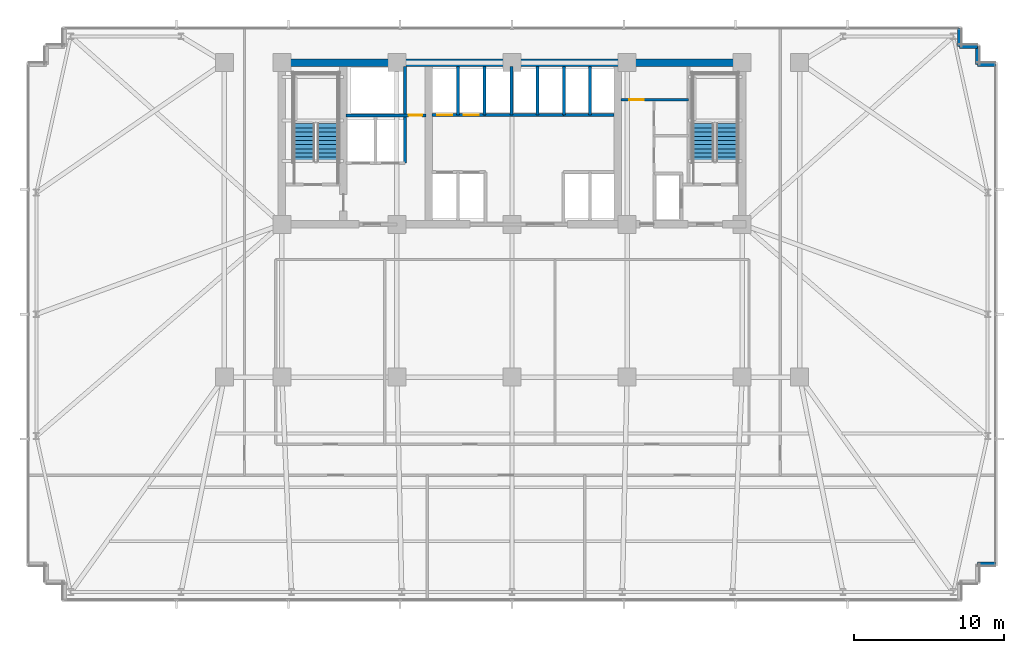
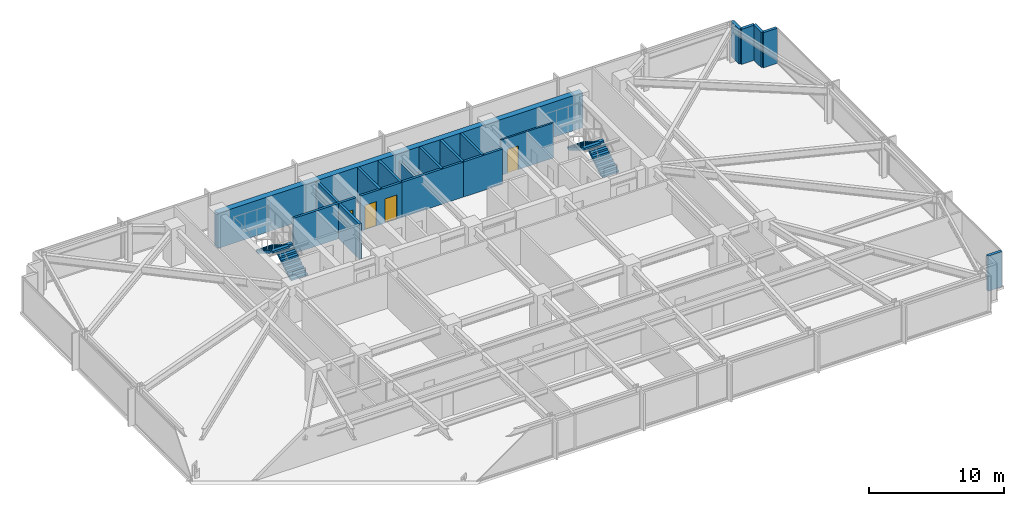
# One storey, part 26 of 32: 18 walls, 4 doors, 4 stair flights, 4 openings, 2 elements without a shape of their own.
"""IFC4 building model written with IfcOpenShell, lengths in metres."""

from ifc_helpers import new_model, si_unit, direction, frame, frame_2d, origin, place, context, subcontext, project, spatial, polyline, rectangle, outline, extrude, material, layer, layer_set, type_object, element, fill, aggregate, save


model = new_model("IFC4")

# Units and contexts
model_context = context("Model", 3, precision=1e-05, world=origin(), true_north=direction((0.0, 1.0)))
body_context = subcontext(model_context, "Body", "Model", "MODEL_VIEW")
ifc_project = project(units=[si_unit("LENGTHUNIT", "METRE"), si_unit("AREAUNIT", "SQUARE_METRE"), si_unit("VOLUMEUNIT", "CUBIC_METRE"), si_unit("PLANEANGLEUNIT", "RADIAN"), si_unit("MASSUNIT", "GRAM", prefix="KILO")], contexts=[model_context])

# Site, building, storey
site_placement = place(None, origin())
site = spatial("IfcSite", under=ifc_project, at=site_placement, CompositionType="ELEMENT")
building_placement = place(site_placement, origin())
building = spatial("IfcBuilding", under=site, at=building_placement, Name="Yelkora Congress Tower", CompositionType="ELEMENT")
storey_placement = place(building_placement, frame((0.0, 0.0, 33.800048828125)))
storey = spatial("IfcBuildingStorey", under=building, at=storey_placement, Name="L07", CompositionType="ELEMENT", Elevation=33.800048828125)

# Walls
ifc_material_1 = material(Name="Concrete C60/75", Category="concrete")
ifc_layer_1 = layer(ifc_material_1, 0.5)
ifc_layer_set_1 = layer_set([ifc_layer_1], Name="Concrete C60/75")
wall_type_1 = type_object("IfcWallType", Name="WALL-CORE-INT-500", PredefinedType="SHEAR", material=ifc_layer_set_1)
wall_1_placement = place(storey_placement, frame((22.7900390625, 46.199951171875, 0.0), z_axis=(0.0, 0.0, 1.0), x_axis=(1.0, 0.0, 0.0)))
element("IfcWall", 1, at=wall_1_placement, inside=storey, type_object=wall_type_1, Name="L07 Rear Core North Shear Wall", PredefinedType="SHEAR", context=body_context, shape_type="SweptSolid", body=[
    extrude(rectangle(XDim=31.219970703125, YDim=0.5, at=frame_2d((15.60986328125, 0.0))), origin(), (0.0, 0.0, 1.0), 3.179931640625),
])
ifc_material_2 = material(Name="Concrete C40/50", Category="concrete")
ifc_layer_2 = layer(ifc_material_2, 0.239990234375)
ifc_layer_set_2 = layer_set([ifc_layer_2], Name="Concrete C40/50")
wall_type_2 = type_object("IfcWallType", Name="WALL-EXT-LIMESTONE-240", PredefinedType="SOLIDWALL", material=ifc_layer_set_2)
for number, where, z_axis, x_axis, name in (
    (2, (68.260009765625, 48.4599609375, 0.0), (0.0, 0.0, 1.0), (0.0, -1.0, 0.0), "L07 Serrated Corner Limestone Pier 11"),
    (3, (68.260009765625, 47.260009765625, 0.0), (0.0, 0.0, 1.0), (1.0, 0.0, 0.0), "L07 Serrated Corner Limestone Pier 12"),
    (4, (69.4599609375, 47.260009765625, 0.0), (0.0, 0.0, 1.0), (0.0, -1.0, 0.0), "L07 Serrated Corner Limestone Pier 13"),
    (5, (69.4599609375, 46.06005859375, 0.0), (0.0, 0.0, 1.0), (1.0, 0.0, 0.0), "L07 Serrated Corner Limestone Pier 14"),
    (6, (70.659912109375, 12.739990234375, 0.0), (0.0, 0.0, 1.0), (-1.0, 0.0, 0.0), "L07 Serrated Corner Limestone Pier 16"),
):
    element("IfcWall", number, at=place(storey_placement, frame(where, z_axis=z_axis, x_axis=x_axis)), inside=storey, type_object=wall_type_2, Name=name, PredefinedType="SOLIDWALL", context=body_context, shape_type="SweptSolid", body=[
        extrude(rectangle(XDim=1.199951171875, YDim=0.239990234375, at=frame_2d((0.60009765625, 0.0))), origin(), (0.0, 0.0, 1.0), 3.179931640625),
    ])

# Wall, opening, door
ifc_material_3 = material(Name="Acoustic metal-stud gypsum partition", Category="gypsum")
ifc_layer_3 = layer(ifc_material_3, 0.14990234375)
ifc_layer_set_3 = layer_set([ifc_layer_3], Name="Acoustic metal-stud gypsum partition")
wall_type_3 = type_object("IfcWallType", Name="WALL-INT-150-NR", PredefinedType="PARTITIONING", material=ifc_layer_set_3)
wall_2_placement = place(storey_placement, frame((45.679931640625, 43.719970703125, 0.0), z_axis=(0.0, 0.0, 1.0), x_axis=(1.0, 0.0, 0.0)))
wall_2 = element("IfcWall", 7, at=wall_2_placement, inside=storey, type_object=wall_type_3, Name="L07 Partition Wall 28", PredefinedType="PARTITIONING", context=body_context, shape_type="SweptSolid", body=[
    extrude(rectangle(XDim=4.5, YDim=0.14990234375, at=frame_2d((2.25, 0.0))), origin(), (0.0, 0.0, 1.0), 3.179931640625),
])
opening_1_placement = place(wall_2_placement, frame((0.550048828125, 0.0, 0.0)))
opening_1 = element("IfcOpeningElement", 8, at=opening_1_placement, cuts=wall_2, Name="Opening DR-095N", PredefinedType="OPENING", context=body_context, shape_type="SweptSolid", body=[
    extrude(rectangle(XDim=0.949951171875, YDim=2.14990234375, at=frame_2d((0.47509765625, 1.074951171875))), frame((0.0, 0.0849609375, 0.0), z_axis=(0.0, -1.0, 0.0), x_axis=(1.0, 0.0, 0.0)), (0.0, 0.0, 1.0), 0.169921875),
])
ifc_material_4 = material(Name="Acoustic laminated timber office door", Category="wood")
door_type_1 = type_object("IfcDoorType", Name="DOOR-INT-950", OperationType="NOTDEFINED", PredefinedType="DOOR", material=ifc_material_4)
door_1_placement = place(opening_1_placement, origin())
door_1 = element("IfcDoor", 9, at=door_1_placement, inside=storey, type_object=door_type_1, Name="L07 Accessible WC Door", OperationType="SINGLE_SWING_RIGHT", OverallHeight=2.14990234375, OverallWidth=0.949951171875, PredefinedType="DOOR", context=body_context, shape_type="SweptSolid", body=[
    extrude(rectangle(XDim=0.949951171875, YDim=2.14990234375, at=frame_2d((0.47509765625, 1.074951171875))), frame((0.0, 0.02490234375, 0.0), z_axis=(0.0, -1.0, 0.0), x_axis=(1.0, 0.0, 0.0)), (0.0, 0.0, 1.0), 0.050048828125),
])
fill(opening_1, door_1)

# Wall
ifc_material_5 = material(Name="Autoclaved aerated concrete blockwork", Category="masonry")
ifc_layer_4 = layer(ifc_material_5, 0.199951171875)
ifc_layer_set_4 = layer_set([ifc_layer_4], Name="Autoclaved aerated concrete blockwork")
wall_type_4 = type_object("IfcWallType", Name="WALL-INT-200-R120", PredefinedType="PARTITIONING", material=ifc_layer_set_4)
wall_3_placement = place(storey_placement, frame((31.260009765625, 39.47998046875, 0.0), z_axis=(0.0, 0.0, 1.0), x_axis=(0.0, 1.0, 0.0)))
element("IfcWall", 10, at=wall_3_placement, inside=storey, type_object=wall_type_4, Name="L07 Partition Wall 5", PredefinedType="PARTITIONING", context=body_context, shape_type="SweptSolid", body=[
    extrude(rectangle(XDim=6.43994140625, YDim=0.199951171875, at=frame_2d((3.219970703125, 0.0))), origin(), (0.0, 0.0, 1.0), 3.179931640625),
])

# Wall, opening, door
wall_4_placement = place(storey_placement, frame((27.320068359375, 42.679931640625, 0.0), z_axis=(0.0, 0.0, 1.0), x_axis=(1.0, 0.0, 0.0)))
wall_4 = element("IfcWall", 11, at=wall_4_placement, inside=storey, type_object=wall_type_4, Name="L07 Smoke Riser South Wall", PredefinedType="PARTITIONING", context=body_context, shape_type="SweptSolid", body=[
    extrude(rectangle(XDim=5.329833984375, YDim=0.199951171875, at=frame_2d((2.6650390625, 0.0))), origin(), (0.0, 0.0, 1.0), 3.179931640625),
])
opening_2_placement = place(wall_4_placement, frame((4.179931640625, 0.0, 0.0)))
opening_2 = element("IfcOpeningElement", 12, at=opening_2_placement, cuts=wall_4, Name="Opening DR-090F6", PredefinedType="OPENING", context=body_context, shape_type="SweptSolid", body=[
    extrude(rectangle(XDim=0.89990234375, YDim=2.14990234375, at=frame_2d((0.449951171875, 1.074951171875))), frame((0.0, 0.10986328125, 0.0), z_axis=(0.0, -1.0, 0.0), x_axis=(1.0, 0.0, 0.0)), (0.0, 0.0, 1.0), 0.219970703125),
])
ifc_material_6 = material(Name="Painted steel riser fire door leaf", Category="steel")
door_type_2 = type_object("IfcDoorType", Name="DOOR-FD60-900", OperationType="NOTDEFINED", PredefinedType="DOOR", material=ifc_material_6)
door_2_placement = place(opening_2_placement, origin())
door_2 = element("IfcDoor", 13, at=door_2_placement, inside=storey, type_object=door_type_2, Name="L07 Riser Access Door", OperationType="SINGLE_SWING_LEFT", OverallHeight=2.14990234375, OverallWidth=0.89990234375, PredefinedType="DOOR", context=body_context, shape_type="SweptSolid", body=[
    extrude(rectangle(XDim=0.89990234375, YDim=2.14990234375, at=frame_2d((0.449951171875, 1.074951171875))), frame((0.0, 0.02490234375, 0.0), z_axis=(0.0, -1.0, 0.0), x_axis=(1.0, 0.0, 0.0)), (0.0, 0.0, 1.0), 0.050048828125),
])
fill(opening_2, door_2)

# Walls
wall_5_placement = place(storey_placement, frame((36.60009765625, 42.699951171875, 0.0), z_axis=(0.0, 0.0, 1.0), x_axis=(1.0, 0.0, 0.0)))
element("IfcWall", 14, at=wall_5_placement, inside=storey, type_object=wall_type_4, Name="L07 Partition Wall 8", PredefinedType="PARTITIONING", context=body_context, shape_type="SweptSolid", body=[
    extrude(rectangle(XDim=5.25, YDim=0.199951171875, at=frame_2d((2.625, 0.0))), origin(), (0.0, 0.0, 1.0), 3.179931640625),
])
wall_6_placement = place(storey_placement, frame((38.35009765625, 42.699951171875, 0.0), z_axis=(0.0, 0.0, 1.0), x_axis=(0.0, 1.0, 0.0)))
element("IfcWall", 15, at=wall_6_placement, inside=storey, type_object=wall_type_4, Name="L07 Partition Wall 9", PredefinedType="PARTITIONING", context=body_context, shape_type="SweptSolid", body=[
    extrude(rectangle(XDim=3.219970703125, YDim=0.199951171875, at=frame_2d((1.60986328125, 0.0))), origin(), (0.0, 0.0, 1.0), 2.474853515625),
])
wall_7_placement = place(storey_placement, frame((40.10009765625, 42.699951171875, 0.0), z_axis=(0.0, 0.0, 1.0), x_axis=(0.0, 1.0, 0.0)))
element("IfcWall", 16, at=wall_7_placement, inside=storey, type_object=wall_type_4, Name="L07 Partition Wall 10", PredefinedType="PARTITIONING", context=body_context, shape_type="SweptSolid", body=[
    extrude(rectangle(XDim=3.219970703125, YDim=0.199951171875, at=frame_2d((1.60986328125, 0.0))), origin(), (0.0, 0.0, 1.0), 3.179931640625),
])

# Wall, openings, doors
wall_8_placement = place(storey_placement, frame((33.050048828125, 42.699951171875, 0.0), z_axis=(0.0, 0.0, 1.0), x_axis=(1.0, 0.0, 0.0)))
wall_8 = element("IfcWall", 17, at=wall_8_placement, inside=storey, type_object=wall_type_4, Name="L07 Partition Wall 12", PredefinedType="PARTITIONING", context=body_context, shape_type="SweptSolid", body=[
    extrude(rectangle(XDim=3.570068359375, YDim=0.199951171875, at=frame_2d((1.78515625, 0.0))), origin(), (0.0, 0.0, 1.0), 3.179931640625),
])
opening_3_placement = place(wall_8_placement, frame((0.375, 0.0, 0.0)))
opening_3 = element("IfcOpeningElement", 18, at=opening_3_placement, cuts=wall_8, Name="Opening LD-PS10", PredefinedType="OPENING", context=body_context, shape_type="SweptSolid", body=[
    extrude(rectangle(XDim=1.0, YDim=2.199951171875, at=frame_2d((0.5, 1.10009765625))), frame((0.0, 0.10986328125, 0.0), z_axis=(0.0, -1.0, 0.0), x_axis=(1.0, 0.0, 0.0)), (0.0, 0.0, 1.0), 0.219970703125),
])
opening_4_placement = place(wall_8_placement, frame((2.125, 0.0, 0.0)))
opening_4 = element("IfcOpeningElement", 19, at=opening_4_placement, cuts=wall_8, Name="Opening LD-PS10", PredefinedType="OPENING", context=body_context, shape_type="SweptSolid", body=[
    extrude(rectangle(XDim=1.0, YDim=2.199951171875, at=frame_2d((0.5, 1.10009765625))), frame((0.0, 0.10986328125, 0.0), z_axis=(0.0, -1.0, 0.0), x_axis=(1.0, 0.0, 0.0)), (0.0, 0.0, 1.0), 0.219970703125),
])
ifc_material_7 = material(Name="Champagne stainless steel landing door", Category="steel")
door_type_3 = type_object("IfcDoorType", Name="DOOR-LIFT-PAS-1000", OperationType="DOUBLE_DOOR_SLIDING", PredefinedType="DOOR", material=ifc_material_7)
door_3_placement = place(opening_3_placement, origin())
door_3 = element("IfcDoor", 20, at=door_3_placement, inside=storey, type_object=door_type_3, Name="Lift Landing Door LF-P3 L07", OperationType="DOUBLE_DOOR_SLIDING", OverallHeight=2.199951171875, OverallWidth=1.0, PredefinedType="DOOR", context=body_context, shape_type="SweptSolid", body=[
    extrude(rectangle(XDim=1.0, YDim=2.199951171875, at=frame_2d((0.5, 1.10009765625))), frame((0.0, 0.02490234375, 0.0), z_axis=(0.0, -1.0, 0.0), x_axis=(1.0, 0.0, 0.0)), (0.0, 0.0, 1.0), 0.050048828125),
])
fill(opening_3, door_3)
door_4_placement = place(opening_4_placement, origin())
door_4 = element("IfcDoor", 21, at=door_4_placement, inside=storey, type_object=door_type_3, Name="Lift Landing Door LF-P4 L07", OperationType="DOUBLE_DOOR_SLIDING", OverallHeight=2.199951171875, OverallWidth=1.0, PredefinedType="DOOR", context=body_context, shape_type="SweptSolid", body=[
    extrude(rectangle(XDim=1.0, YDim=2.199951171875, at=frame_2d((0.5, 1.10009765625))), frame((0.0, 0.02490234375, 0.0), z_axis=(0.0, -1.0, 0.0), x_axis=(1.0, 0.0, 0.0)), (0.0, 0.0, 1.0), 0.050048828125),
])
fill(opening_4, door_4)

# Walls
for number, where, z_axis, x_axis, name in (
    (22, (34.800048828125, 42.699951171875, 0.0), (0.0, 0.0, 1.0), (0.0, 1.0, 0.0), "L07 Partition Wall 14"),
    (23, (36.580078125, 42.699951171875, 0.0), (0.0, 0.0, 1.0), (0.0, 1.0, 0.0), "L07 Partition Wall 16"),
):
    element("IfcWall", number, at=place(storey_placement, frame(where, z_axis=z_axis, x_axis=x_axis)), inside=storey, type_object=wall_type_4, Name=name, PredefinedType="PARTITIONING", context=body_context, shape_type="SweptSolid", body=[
        extrude(rectangle(XDim=3.219970703125, YDim=0.199951171875, at=frame_2d((1.60986328125, 0.0))), origin(), (0.0, 0.0, 1.0), 3.179931640625),
    ])
wall_9_placement = place(storey_placement, frame((41.85009765625, 42.699951171875, 0.0), z_axis=(0.0, 0.0, 1.0), x_axis=(1.0, 0.0, 0.0)))
element("IfcWall", 24, at=wall_9_placement, inside=storey, type_object=wall_type_4, Name="L07 Partition Wall 18", PredefinedType="PARTITIONING", context=body_context, shape_type="SweptSolid", body=[
    extrude(rectangle(XDim=3.369873046875, YDim=0.199951171875, at=frame_2d((1.68505859375, 0.0))), origin(), (0.0, 0.0, 1.0), 3.179931640625),
])
for number, where, z_axis, x_axis, name in (
    (25, (43.60009765625, 42.699951171875, 0.0), (0.0, 0.0, 1.0), (0.0, 1.0, 0.0), "L07 Partition Wall 20"),
    (26, (41.8798828125, 42.699951171875, 0.0), (0.0, 0.0, 1.0), (0.0, 1.0, 0.0), "L07 Partition Wall 22"),
):
    element("IfcWall", number, at=place(storey_placement, frame(where, z_axis=z_axis, x_axis=x_axis)), inside=storey, type_object=wall_type_4, Name=name, PredefinedType="PARTITIONING", context=body_context, shape_type="SweptSolid", body=[
        extrude(rectangle(XDim=3.219970703125, YDim=0.199951171875, at=frame_2d((1.60986328125, 0.0))), origin(), (0.0, 0.0, 1.0), 3.179931640625),
    ])

# Stair, stair flights
stair_type = type_object("IfcStairType", Name="STAIR-HT-1420-R20-170", PredefinedType="HALF_TURN_STAIR", material=ifc_material_2)
stair_1_placement = place(storey_placement, origin())
stair_1 = element("IfcStair", 27, at=stair_1_placement, inside=storey, type_object=stair_type, Name="West Core Protected Exit Stair ST-01 (L07)", PredefinedType="HALF_TURN_STAIR")
stair_flight_type = type_object("IfcStairFlightType", Name="FLIGHT-1420-N10-R170-G280", PredefinedType="STRAIGHT", material=ifc_material_2)
stair_flight_1_placement = place(storey_placement, frame((26.110107421875, 39.60009765625, 0.0), z_axis=(0.0, 0.0, 1.0), x_axis=(0.0, 1.0, 0.0)))
stair_flight_1 = element("IfcStairFlight", 28, at=stair_flight_1_placement, type_object=stair_flight_type, Name="ST-01 L07 Flight 1", NumberOfRisers=10, NumberOfTreads=9, PredefinedType="STRAIGHT", RiserHeight=0.17, TreadLength=0.28, context=body_context, shape_type="SweptSolid", body=[
    extrude(outline(polyline([(0.0, 0.0), (0.0, 0.169921875), (0.280029296875, 0.169921875), (0.280029296875, 0.340087890625), (0.56005859375, 0.340087890625), (0.56005859375, 0.510009765625), (0.840087890625, 0.510009765625), (0.840087890625, 0.679931640625), (1.1201171875, 0.679931640625), (1.1201171875, 0.85009765625), (1.39990234375, 0.85009765625), (1.39990234375, 1.02001953125), (1.679931640625, 1.02001953125), (1.679931640625, 1.18994140625), (1.9599609375, 1.18994140625), (1.9599609375, 1.360107421875), (2.239990234375, 1.360107421875), (2.239990234375, 1.530029296875), (2.52001953125, 1.530029296875), (2.52001953125, 1.699951171875), (2.52001953125, 1.343017578125), (0.30810546875, 0.0), (0.0, 0.0)])), frame((0.0, 0.7099609375, 0.0), z_axis=(0.0, -1.0, 0.0), x_axis=(1.0, 0.0, 0.0)), (0.0, 0.0, 1.0), 1.419921875),
])
stair_flight_2_placement = place(storey_placement, frame((24.530029296875, 42.1201171875, 1.699951171875), z_axis=(0.0, 0.0, 1.0), x_axis=(0.0, -1.0, 0.0)))
stair_flight_2 = element("IfcStairFlight", 29, at=stair_flight_2_placement, type_object=stair_flight_type, Name="ST-01 L07 Flight 2", NumberOfRisers=10, NumberOfTreads=9, PredefinedType="STRAIGHT", RiserHeight=0.17, TreadLength=0.28, context=body_context, shape_type="SweptSolid", body=[
    extrude(outline(polyline([(0.0, 0.0), (0.0, 0.169921875), (0.280029296875, 0.169921875), (0.280029296875, 0.340087890625), (0.56005859375, 0.340087890625), (0.56005859375, 0.510009765625), (0.840087890625, 0.510009765625), (0.840087890625, 0.679931640625), (1.1201171875, 0.679931640625), (1.1201171875, 0.85009765625), (1.39990234375, 0.85009765625), (1.39990234375, 1.02001953125), (1.679931640625, 1.02001953125), (1.679931640625, 1.18994140625), (1.9599609375, 1.18994140625), (1.9599609375, 1.360107421875), (2.239990234375, 1.360107421875), (2.239990234375, 1.530029296875), (2.52001953125, 1.530029296875), (2.52001953125, 1.699951171875), (2.52001953125, 1.343017578125), (0.30810546875, 0.0), (0.0, 0.0)])), frame((0.0, 0.7099609375, 0.0), z_axis=(0.0, -1.0, 0.0), x_axis=(1.0, 0.0, 0.0)), (0.0, 0.0, 1.0), 1.419921875),
])
aggregate(stair_1, [stair_flight_1, stair_flight_2])

stair_2_placement = place(storey_placement, origin())
stair_2 = element("IfcStair", 30, at=stair_2_placement, inside=storey, type_object=stair_type, Name="East Core Protected Exit Stair ST-02 (L07)", PredefinedType="HALF_TURN_STAIR")
stair_flight_3_placement = place(storey_placement, frame((52.75, 39.60009765625, 0.0), z_axis=(0.0, 0.0, 1.0), x_axis=(0.0, 1.0, 0.0)))
stair_flight_3 = element("IfcStairFlight", 31, at=stair_flight_3_placement, type_object=stair_flight_type, Name="ST-02 L07 Flight 1", NumberOfRisers=10, NumberOfTreads=9, PredefinedType="STRAIGHT", RiserHeight=0.17, TreadLength=0.28, context=body_context, shape_type="SweptSolid", body=[
    extrude(outline(polyline([(0.0, 0.0), (0.0, 0.169921875), (0.280029296875, 0.169921875), (0.280029296875, 0.340087890625), (0.56005859375, 0.340087890625), (0.56005859375, 0.510009765625), (0.840087890625, 0.510009765625), (0.840087890625, 0.679931640625), (1.1201171875, 0.679931640625), (1.1201171875, 0.85009765625), (1.39990234375, 0.85009765625), (1.39990234375, 1.02001953125), (1.679931640625, 1.02001953125), (1.679931640625, 1.18994140625), (1.9599609375, 1.18994140625), (1.9599609375, 1.360107421875), (2.239990234375, 1.360107421875), (2.239990234375, 1.530029296875), (2.52001953125, 1.530029296875), (2.52001953125, 1.699951171875), (2.52001953125, 1.343017578125), (0.30810546875, 0.0), (0.0, 0.0)])), frame((0.0, 0.7099609375, 0.0), z_axis=(0.0, -1.0, 0.0), x_axis=(1.0, 0.0, 0.0)), (0.0, 0.0, 1.0), 1.419921875),
])
stair_flight_4_placement = place(storey_placement, frame((51.169921875, 42.1201171875, 1.699951171875), z_axis=(0.0, 0.0, 1.0), x_axis=(0.0, -1.0, 0.0)))
stair_flight_4 = element("IfcStairFlight", 32, at=stair_flight_4_placement, type_object=stair_flight_type, Name="ST-02 L07 Flight 2", NumberOfRisers=10, NumberOfTreads=9, PredefinedType="STRAIGHT", RiserHeight=0.17, TreadLength=0.28, context=body_context, shape_type="SweptSolid", body=[
    extrude(outline(polyline([(0.0, 0.0), (0.0, 0.169921875), (0.280029296875, 0.169921875), (0.280029296875, 0.340087890625), (0.56005859375, 0.340087890625), (0.56005859375, 0.510009765625), (0.840087890625, 0.510009765625), (0.840087890625, 0.679931640625), (1.1201171875, 0.679931640625), (1.1201171875, 0.85009765625), (1.39990234375, 0.85009765625), (1.39990234375, 1.02001953125), (1.679931640625, 1.02001953125), (1.679931640625, 1.18994140625), (1.9599609375, 1.18994140625), (1.9599609375, 1.360107421875), (2.239990234375, 1.360107421875), (2.239990234375, 1.530029296875), (2.52001953125, 1.530029296875), (2.52001953125, 1.699951171875), (2.52001953125, 1.343017578125), (0.30810546875, 0.0), (0.0, 0.0)])), frame((0.0, 0.7099609375, 0.0), z_axis=(0.0, -1.0, 0.0), x_axis=(1.0, 0.0, 0.0)), (0.0, 0.0, 1.0), 1.419921875),
])
aggregate(stair_2, [stair_flight_3, stair_flight_4])

save(model, "model.ifc")
